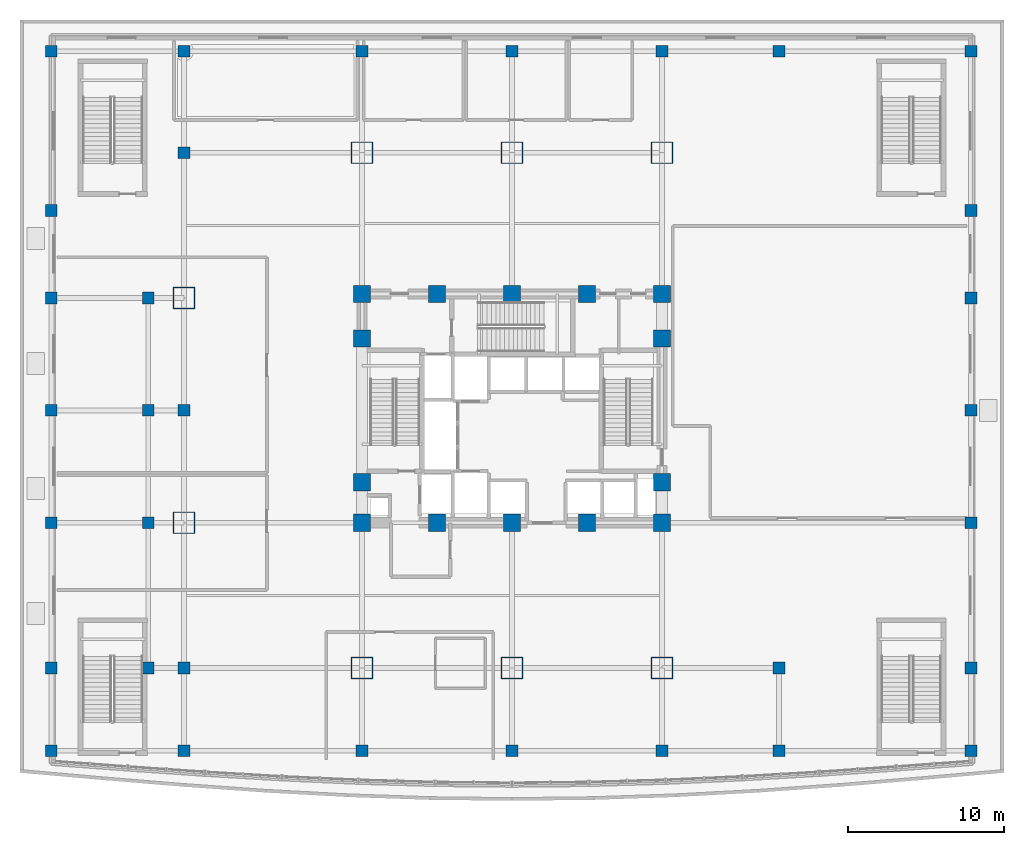
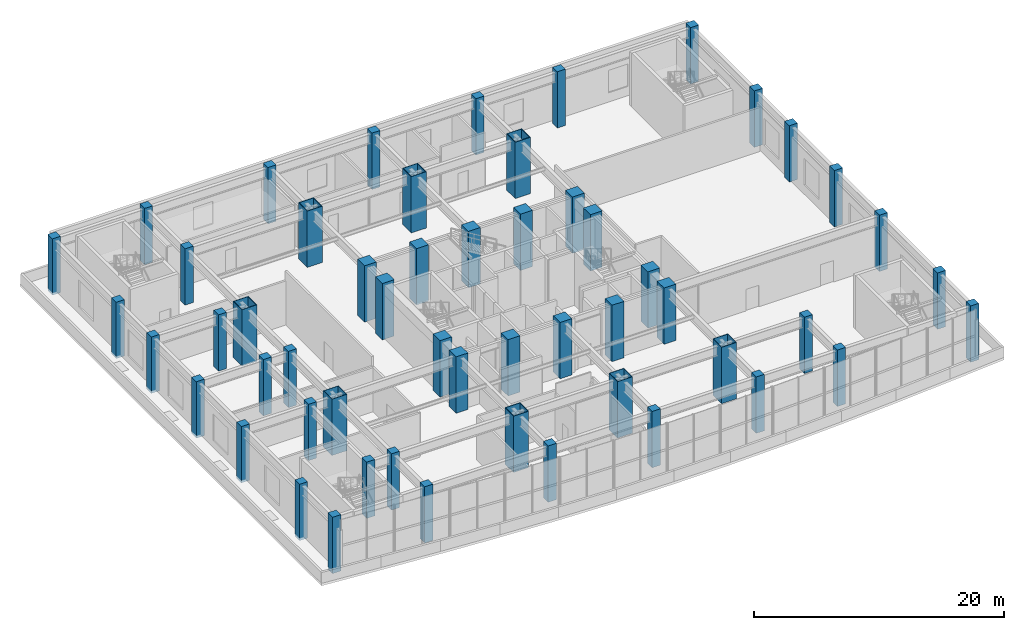
# One storey, part 1 of 24: 54 columns.
"""IFC4 building model written with IfcOpenShell, lengths in metres."""

import ifcopenshell
import ifcopenshell.guid

model = None  # the IFC model being written
_history = None  # IfcOwnerHistory: only IFC2X3 demands one
_inside = {}  # id of a spatial element -> (the spatial element, [elements in it])
_under = {}  # id of a project, library or spatial element -> (it, [spatial elements below it])
_declared = {}  # id of a project -> (the project, [libraries it declares])
_typed = {}  # id of a type object -> (the type object, [elements of that type])
_made_of = {}  # id of a material, layer set ... -> (it, [elements and type objects made of it])


def new_model(schema):
    """Start an empty IFC model of exactly this schema.

    Asked for "IFC4X3", IfcOpenShell would pick the latest addendum, in which some entities
    have other attributes; the version numbers below select the first issue.
    IFC2X3 requires an IfcOwnerHistory on every rooted entity: one is made here for all.
    """
    global model, _history
    if schema == "IFC4X3":
        model = ifcopenshell.file(schema_version=(4, 3, 0, 0))
    else:
        model = ifcopenshell.file(schema=schema)
    _inside.clear()
    _under.clear()
    _declared.clear()
    _typed.clear()
    _made_of.clear()
    _history = None
    if model.schema == "IFC2X3":
        org = make("IfcOrganization", Name="unknown")
        user = make(
            "IfcPersonAndOrganization",
            ThePerson=make("IfcPerson", FamilyName="unknown"),
            TheOrganization=org,
        )
        app = make(
            "IfcApplication",
            ApplicationDeveloper=org,
            Version="unknown",
            ApplicationFullName="unknown",
            ApplicationIdentifier="unknown",
        )
        _history = make(
            "IfcOwnerHistory",
            OwningUser=user,
            OwningApplication=app,
            ChangeAction="ADDED",
            CreationDate=0,
        )
    return model


def make(cls, **values):
    """One entity of the class cls with the attributes given. An attribute that is None is left unset."""
    return model.create_entity(
        cls, **{name: value for name, value in values.items() if value is not None}
    )


def rooted(cls, **values):
    """An entity with a GlobalId (a new one), such as an element, a storey or a relation."""
    return make(cls, GlobalId=ifcopenshell.guid.new(), OwnerHistory=_history, **values)


def si_unit(unit_type, name, prefix=None):
    """IfcSIUnit, for example si_unit("LENGTHUNIT", "METRE", prefix="MILLI")."""
    return make("IfcSIUnit", UnitType=unit_type, Prefix=prefix, Name=name)


def assignment(units):
    """IfcUnitAssignment: the units of a project."""
    return None if units is None else make("IfcUnitAssignment", Units=units)


def point(xyz):
    """IfcCartesianPoint."""
    return None if xyz is None else make("IfcCartesianPoint", Coordinates=xyz)


def direction(xyz):
    """IfcDirection."""
    return None if xyz is None else make("IfcDirection", DirectionRatios=xyz)


def frame(location, z_axis=None, x_axis=None):
    """IfcAxis2Placement3D, a coordinate frame: its origin and axes. An axis left out is left unset."""
    return make(
        "IfcAxis2Placement3D",
        Location=point(location),
        Axis=direction(z_axis),
        RefDirection=direction(x_axis),
    )


def frame_2d(location, x_axis=None):
    """IfcAxis2Placement2D, a coordinate frame in the plane: its origin and x axis."""
    return make(
        "IfcAxis2Placement2D", Location=point(location), RefDirection=direction(x_axis)
    )


def origin():
    """The frame at (0, 0, 0) with its axes left unset."""
    return frame((0.0, 0.0, 0.0))


def origin_2d():
    """The frame at (0, 0) in the plane with its x axis left unset."""
    return frame_2d((0.0, 0.0))


def place(relative_to, where):
    """IfcLocalPlacement: puts the frame where relative to a parent placement (None: the world)."""
    return make(
        "IfcLocalPlacement", PlacementRelTo=relative_to, RelativePlacement=where
    )


def context(
    kind, dimensions, precision=None, world=None, true_north=None, identifier=None
):
    """IfcGeometricRepresentationContext, for example the 3D "Model" context."""
    return make(
        "IfcGeometricRepresentationContext",
        ContextIdentifier=identifier,
        ContextType=kind,
        CoordinateSpaceDimension=dimensions,
        Precision=precision,
        WorldCoordinateSystem=world,
        TrueNorth=true_north,
    )


def subcontext(parent, identifier, kind, view, scale=None):
    """IfcGeometricRepresentationSubContext, for example "Body" below "Model"."""
    return make(
        "IfcGeometricRepresentationSubContext",
        ContextIdentifier=identifier,
        ContextType=kind,
        ParentContext=parent,
        TargetScale=scale,
        TargetView=view,
    )


def project(units=None, contexts=None):
    """IfcProject with its units and contexts."""
    return rooted(
        "IfcProject",
        Name="project",
        RepresentationContexts=contexts,
        UnitsInContext=assignment(units),
    )


def spatial(cls, under=None, at=None, **own):
    """A site, building, storey or space (cls), placed at a placement, below another one or the project."""
    s = rooted(cls, ObjectPlacement=at, **own)
    if under is not None:
        _under.setdefault(under.id(), (under, []))[1].append(s)
    return s


def profile(cls, at=None, kind="AREA", **sizes):
    """A parametric profile (cls). Its sizes go by their IFC names, for example OverallWidth=200.0."""
    return make(cls, ProfileType=kind, Position=at, **sizes)


def rectangle(**sizes):
    """IfcRectangleProfileDef."""
    return profile("IfcRectangleProfileDef", **sizes)


def hollow_rectangle(**sizes):
    """IfcRectangleHollowProfileDef."""
    return profile("IfcRectangleHollowProfileDef", **sizes)


def extrude(swept, where, along, depth):
    """IfcExtrudedAreaSolid: the profile swept, set in the frame where, extruded along a direction by depth."""
    return make(
        "IfcExtrudedAreaSolid",
        SweptArea=swept,
        Position=where,
        ExtrudedDirection=direction(along),
        Depth=depth,
    )


def shape(context_of_items, identifier, shape_type, items):
    """IfcShapeRepresentation: the items that make up one representation, for example the "Body"."""
    return make(
        "IfcShapeRepresentation",
        ContextOfItems=context_of_items,
        RepresentationIdentifier=identifier,
        RepresentationType=shape_type,
        Items=items,
    )


def material(Name=None, Category=None):
    """IfcMaterial."""
    return make("IfcMaterial", Name=Name, Category=Category)


def material_profile(
    of_material, cross_section, Name=None, Category=None, Priority=None
):
    """IfcMaterialProfile: a cross section and its material."""
    return make(
        "IfcMaterialProfile",
        Name=Name,
        Material=of_material,
        Profile=cross_section,
        Priority=Priority,
        Category=Category,
    )


def profile_set(profiles, Name=None, composite=None):
    """IfcMaterialProfileSet."""
    return make(
        "IfcMaterialProfileSet",
        Name=Name,
        MaterialProfiles=profiles,
        CompositeProfile=composite,
    )


def made_of(thing, what):
    """Note that an element or type object is made of a material, layer set ...; save() writes the relation."""
    if what is not None:
        _made_of.setdefault(what.id(), (what, []))[1].append(thing)
    return thing


def type_object(cls, material=None, **own):
    """A type object (cls), such as IfcWallType, which elements share."""
    return made_of(rooted(cls, **own), material)


def element(
    cls,
    number,
    at=None,
    inside=None,
    cuts=None,
    type_object=None,
    material=None,
    context=None,
    identifier="Body",
    shape_type=None,
    held_by="IfcProductDefinitionShape",
    body=None,
    shapes=None,
    **own,
):
    """One element of the class cls, such as IfcWall. Its Tag is "e" and its number.

    at: its placement. inside: the storey or other place that contains it. cuts: it is an
    opening in that element (IfcRelVoidsElement). A single representation is given by context,
    identifier, shape_type and body (its items); several are given by shapes. held_by: the class
    of the entity that holds the representations. save() writes the other relations.
    """
    e = rooted(cls, Tag="e%d" % number, ObjectPlacement=at, **own)
    if body is not None:
        shapes = [shape(context, identifier, shape_type, body)]
    if shapes is not None:
        e.Representation = make(held_by, Representations=shapes)
    if inside is not None:
        _inside.setdefault(inside.id(), (inside, []))[1].append(e)
    if cuts is not None:
        rooted(
            "IfcRelVoidsElement", RelatingBuildingElement=cuts, RelatedOpeningElement=e
        )
    if type_object is not None:
        _typed.setdefault(type_object.id(), (type_object, []))[1].append(e)
    return made_of(e, material)


def aggregate(whole, parts):
    """IfcRelAggregates: a whole, such as a stair, and the parts it consists of."""
    return rooted("IfcRelAggregates", RelatingObject=whole, RelatedObjects=parts)


def save(model, path):
    """Write the relations noted so far, then the file.

    IfcRelAggregates (storeys below a building ...), IfcRelContainedInSpatialStructure (elements
    in a storey), IfcRelDefinesByType, IfcRelAssociatesMaterial and IfcRelDeclares: one each for
    every whole, place, type object, material and project.
    """
    for whole, parts in _under.values():
        aggregate(whole, parts)
    for where, things in _inside.values():
        rooted(
            "IfcRelContainedInSpatialStructure",
            RelatedElements=things,
            RelatingStructure=where,
        )
    for kind, things in _typed.values():
        rooted("IfcRelDefinesByType", RelatedObjects=things, RelatingType=kind)
    for what, things in _made_of.values():
        rooted("IfcRelAssociatesMaterial", RelatedObjects=things, RelatingMaterial=what)
    for by, libraries in _declared.values():
        rooted("IfcRelDeclares", RelatingContext=by, RelatedDefinitions=libraries)
    model.write(path)


model = new_model("IFC4")

# Units and contexts
model_context = context("Model", 3, precision=1e-05, world=origin(), true_north=direction((0.0, 1.0)))
body_context = subcontext(model_context, "Body", "Model", "MODEL_VIEW")
ifc_project = project(units=[si_unit("LENGTHUNIT", "METRE"), si_unit("AREAUNIT", "SQUARE_METRE"), si_unit("VOLUMEUNIT", "CUBIC_METRE"), si_unit("PLANEANGLEUNIT", "RADIAN"), si_unit("MASSUNIT", "GRAM", prefix="KILO")], contexts=[model_context])

# Site, building, storey
site_placement = place(None, origin())
site = spatial("IfcSite", under=ifc_project, at=site_placement, CompositionType="ELEMENT")
building_placement = place(site_placement, origin())
building = spatial("IfcBuilding", under=site, at=building_placement, Name="Vantalir Tower", CompositionType="ELEMENT")
storey_placement = place(building_placement, frame((0.0, 0.0, 16.0)))
storey = spatial("IfcBuildingStorey", under=building, at=storey_placement, Name="L03", CompositionType="ELEMENT", Elevation=16.0)

# Columns
ifc_material_1 = material(Name="Concrete C60/75", Category="concrete")
ifc_material_profile_1 = material_profile(ifc_material_1, rectangle(XDim=1.10009765625, YDim=1.10009765625, at=origin_2d()), Name="Concrete C60/75")
ifc_profile_set_1 = profile_set([ifc_material_profile_1], Name="Concrete C60/75")
column_type_1 = type_object("IfcColumnType", Name="COL-CC-1100", PredefinedType="COLUMN", material=ifc_profile_set_1)
for number, where, z_axis, x_axis, name in (
    (1, (21.89990234375, 17.800048828125, 0.0), (0.0, 0.0, 1.0), (1.0, 0.0, 0.0), "L03 Core Column CC01"),
    (2, (26.699951171875, 17.800048828125, 0.0), (0.0, 0.0, 1.0), (1.0, 0.0, 0.0), "L03 Core Column CC02"),
    (3, (31.5, 17.800048828125, 0.0), (0.0, 0.0, 1.0), (1.0, 0.0, 0.0), "L03 Core Column CC03"),
    (4, (36.300048828125, 17.800048828125, 0.0), (0.0, 0.0, 1.0), (1.0, 0.0, 0.0), "L03 Core Column CC04"),
    (5, (41.10009765625, 17.800048828125, 0.0), (0.0, 0.0, 1.0), (1.0, 0.0, 0.0), "L03 Core Column CC05"),
    (6, (21.89990234375, 20.39990234375, 0.0), (0.0, 0.0, 1.0), (1.0, 0.0, 0.0), "L03 Core Column CC06"),
    (7, (21.89990234375, 29.60009765625, 0.0), (0.0, 0.0, 1.0), (1.0, 0.0, 0.0), "L03 Core Column CC07"),
    (8, (41.10009765625, 20.39990234375, 0.0), (0.0, 0.0, 1.0), (1.0, 0.0, 0.0), "L03 Core Column CC08"),
    (9, (41.10009765625, 29.60009765625, 0.0), (0.0, 0.0, 1.0), (1.0, 0.0, 0.0), "L03 Core Column CC09"),
    (10, (21.89990234375, 32.449951171875, 0.0), (0.0, 0.0, 1.0), (1.0, 0.0, 0.0), "L03 Core Column CC10"),
    (11, (26.699951171875, 32.449951171875, 0.0), (0.0, 0.0, 1.0), (1.0, 0.0, 0.0), "L03 Core Column CC11"),
    (12, (31.5, 32.449951171875, 0.0), (0.0, 0.0, 1.0), (1.0, 0.0, 0.0), "L03 Core Column CC12"),
    (13, (36.300048828125, 32.449951171875, 0.0), (0.0, 0.0, 1.0), (1.0, 0.0, 0.0), "L03 Core Column CC13"),
    (14, (41.10009765625, 32.449951171875, 0.0), (0.0, 0.0, 1.0), (1.0, 0.0, 0.0), "L03 Core Column CC14"),
):
    element("IfcColumn", number, at=place(storey_placement, frame(where, z_axis=z_axis, x_axis=x_axis)), inside=storey, type_object=column_type_1, Name=name, PredefinedType="COLUMN", context=body_context, shape_type="SweptSolid", body=[
        extrude(rectangle(XDim=1.10009765625, YDim=1.10009765625, at=origin_2d()), origin(), (0.0, 0.0, 1.0), 5.5),
    ])
ifc_material_2 = material(Name="Steel S460", Category="steel")
ifc_material_profile_2 = material_profile(ifc_material_2, hollow_rectangle(XDim=1.39990234375, YDim=1.39990234375, WallThickness=0.050048828125, at=origin_2d()), Name="Steel S460")
ifc_profile_set_2 = profile_set([ifc_material_profile_2], Name="Steel S460")
column_type_2 = type_object("IfcColumnType", Name="COL-MC-1400", PredefinedType="COLUMN", material=ifc_profile_set_2)
for number, where, z_axis, x_axis, name in (
    (15, (21.89990234375, 8.5, 0.0), (0.0, 0.0, 1.0), (1.0, 0.0, 0.0), "L03 S460 Mega-Column MC01"),
    (16, (31.5, 8.5, 0.0), (0.0, 0.0, 1.0), (1.0, 0.0, 0.0), "L03 S460 Mega-Column MC02"),
    (17, (41.10009765625, 8.5, 0.0), (0.0, 0.0, 1.0), (1.0, 0.0, 0.0), "L03 S460 Mega-Column MC03"),
    (18, (10.5, 17.800048828125, 0.0), (0.0, 0.0, 1.0), (1.0, 0.0, 0.0), "L03 S460 Mega-Column MC04"),
    (19, (10.5, 32.199951171875, 0.0), (0.0, 0.0, 1.0), (1.0, 0.0, 0.0), "L03 S460 Mega-Column MC05"),
    (20, (21.89990234375, 41.5, 0.0), (0.0, 0.0, 1.0), (1.0, 0.0, 0.0), "L03 S460 Mega-Column MC06"),
    (21, (31.5, 41.5, 0.0), (0.0, 0.0, 1.0), (1.0, 0.0, 0.0), "L03 S460 Mega-Column MC07"),
    (22, (41.10009765625, 41.5, 0.0), (0.0, 0.0, 1.0), (1.0, 0.0, 0.0), "L03 S460 Mega-Column MC08"),
):
    element("IfcColumn", number, at=place(storey_placement, frame(where, z_axis=z_axis, x_axis=x_axis)), inside=storey, type_object=column_type_2, Name=name, PredefinedType="COLUMN", context=body_context, shape_type="SweptSolid", body=[
        extrude(hollow_rectangle(XDim=1.39990234375, YDim=1.39990234375, WallThickness=0.050048828125, at=origin_2d()), origin(), (0.0, 0.0, 1.0), 5.5),
    ])
ifc_material_3 = material(Name="Concrete C50/60", Category="concrete")
ifc_material_profile_3 = material_profile(ifc_material_3, rectangle(XDim=0.75, YDim=0.75, at=origin_2d()), Name="Concrete C50/60")
ifc_profile_set_3 = profile_set([ifc_material_profile_3], Name="Concrete C50/60")
column_type_3 = type_object("IfcColumnType", Name="COL-PC-750", PredefinedType="COLUMN", material=ifc_profile_set_3)
for number, where, z_axis, x_axis, name in (
    (23, (2.0, 3.199951171875, 0.0), (0.0, 0.0, 1.0), (1.0, 0.0, 0.0), "L03 Podium Column PC01"),
    (24, (8.199951171875, 8.5, 0.0), (0.0, 0.0, 1.0), (1.0, 0.0, 0.0), "L03 Podium Column PC02"),
    (25, (8.199951171875, 17.800048828125, 0.0), (0.0, 0.0, 1.0), (1.0, 0.0, 0.0), "L03 Podium Column PC03"),
    (26, (8.199951171875, 25.0, 0.0), (0.0, 0.0, 1.0), (1.0, 0.0, 0.0), "L03 Podium Column PC04"),
    (27, (8.199951171875, 32.199951171875, 0.0), (0.0, 0.0, 1.0), (1.0, 0.0, 0.0), "L03 Podium Column PC05"),
    (28, (2.0, 37.800048828125, 0.0), (0.0, 0.0, 1.0), (1.0, 0.0, 0.0), "L03 Podium Column PC06"),
    (29, (2.0, 48.0, 0.0), (0.0, 0.0, 1.0), (1.0, 0.0, 0.0), "L03 Podium Column PC07"),
    (30, (2.0, 8.5, 0.0), (0.0, 0.0, 1.0), (1.0, 0.0, 0.0), "L03 Podium Column PC08"),
    (31, (2.0, 17.800048828125, 0.0), (0.0, 0.0, 1.0), (1.0, 0.0, 0.0), "L03 Podium Column PC09"),
    (32, (2.0, 25.0, 0.0), (0.0, 0.0, 1.0), (1.0, 0.0, 0.0), "L03 Podium Column PC10"),
    (33, (2.0, 32.199951171875, 0.0), (0.0, 0.0, 1.0), (1.0, 0.0, 0.0), "L03 Podium Column PC11"),
    (34, (10.5, 3.199951171875, 0.0), (0.0, 0.0, 1.0), (1.0, 0.0, 0.0), "L03 Podium Column PC12"),
    (35, (10.5, 8.5, 0.0), (0.0, 0.0, 1.0), (1.0, 0.0, 0.0), "L03 Podium Column PC13"),
    (36, (10.5, 25.0, 0.0), (0.0, 0.0, 1.0), (1.0, 0.0, 0.0), "L03 Podium Column PC14"),
    (37, (10.5, 41.5, 0.0), (0.0, 0.0, 1.0), (1.0, 0.0, 0.0), "L03 Podium Column PC15"),
    (38, (10.5, 48.0, 0.0), (0.0, 0.0, 1.0), (1.0, 0.0, 0.0), "L03 Podium Column PC16"),
    (39, (21.89990234375, 3.199951171875, 0.0), (0.0, 0.0, 1.0), (1.0, 0.0, 0.0), "L03 Podium Column PC17"),
    (40, (31.5, 3.199951171875, 0.0), (0.0, 0.0, 1.0), (1.0, 0.0, 0.0), "L03 Podium Column PC18"),
    (41, (41.10009765625, 3.199951171875, 0.0), (0.0, 0.0, 1.0), (1.0, 0.0, 0.0), "L03 Podium Column PC19"),
    (42, (48.60009765625, 3.199951171875, 0.0), (0.0, 0.0, 1.0), (1.0, 0.0, 0.0), "L03 Podium Column PC20"),
    (43, (48.60009765625, 8.5, 0.0), (0.0, 0.0, 1.0), (1.0, 0.0, 0.0), "L03 Podium Column PC21"),
    (44, (21.89990234375, 48.0, 0.0), (0.0, 0.0, 1.0), (1.0, 0.0, 0.0), "L03 Podium Column PC22"),
    (45, (31.5, 48.0, 0.0), (0.0, 0.0, 1.0), (1.0, 0.0, 0.0), "L03 Podium Column PC23"),
    (46, (41.10009765625, 48.0, 0.0), (0.0, 0.0, 1.0), (1.0, 0.0, 0.0), "L03 Podium Column PC24"),
    (47, (48.60009765625, 48.0, 0.0), (0.0, 0.0, 1.0), (1.0, 0.0, 0.0), "L03 Podium Column PC25"),
    (48, (60.89990234375, 3.199951171875, 0.0), (0.0, 0.0, 1.0), (1.0, 0.0, 0.0), "L03 Podium Column PC30"),
    (49, (60.89990234375, 8.5, 0.0), (0.0, 0.0, 1.0), (1.0, 0.0, 0.0), "L03 Podium Column PC31"),
    (50, (60.89990234375, 17.800048828125, 0.0), (0.0, 0.0, 1.0), (1.0, 0.0, 0.0), "L03 Podium Column PC32"),
    (51, (60.89990234375, 25.0, 0.0), (0.0, 0.0, 1.0), (1.0, 0.0, 0.0), "L03 Podium Column PC33"),
    (52, (60.89990234375, 32.199951171875, 0.0), (0.0, 0.0, 1.0), (1.0, 0.0, 0.0), "L03 Podium Column PC34"),
    (53, (60.89990234375, 37.800048828125, 0.0), (0.0, 0.0, 1.0), (1.0, 0.0, 0.0), "L03 Podium Column PC35"),
    (54, (60.89990234375, 48.0, 0.0), (0.0, 0.0, 1.0), (1.0, 0.0, 0.0), "L03 Podium Column PC36"),
):
    element("IfcColumn", number, at=place(storey_placement, frame(where, z_axis=z_axis, x_axis=x_axis)), inside=storey, type_object=column_type_3, Name=name, PredefinedType="COLUMN", context=body_context, shape_type="SweptSolid", body=[
        extrude(rectangle(XDim=0.75, YDim=0.75, at=origin_2d()), origin(), (0.0, 0.0, 1.0), 5.5),
    ])

save(model, "model.ifc")
